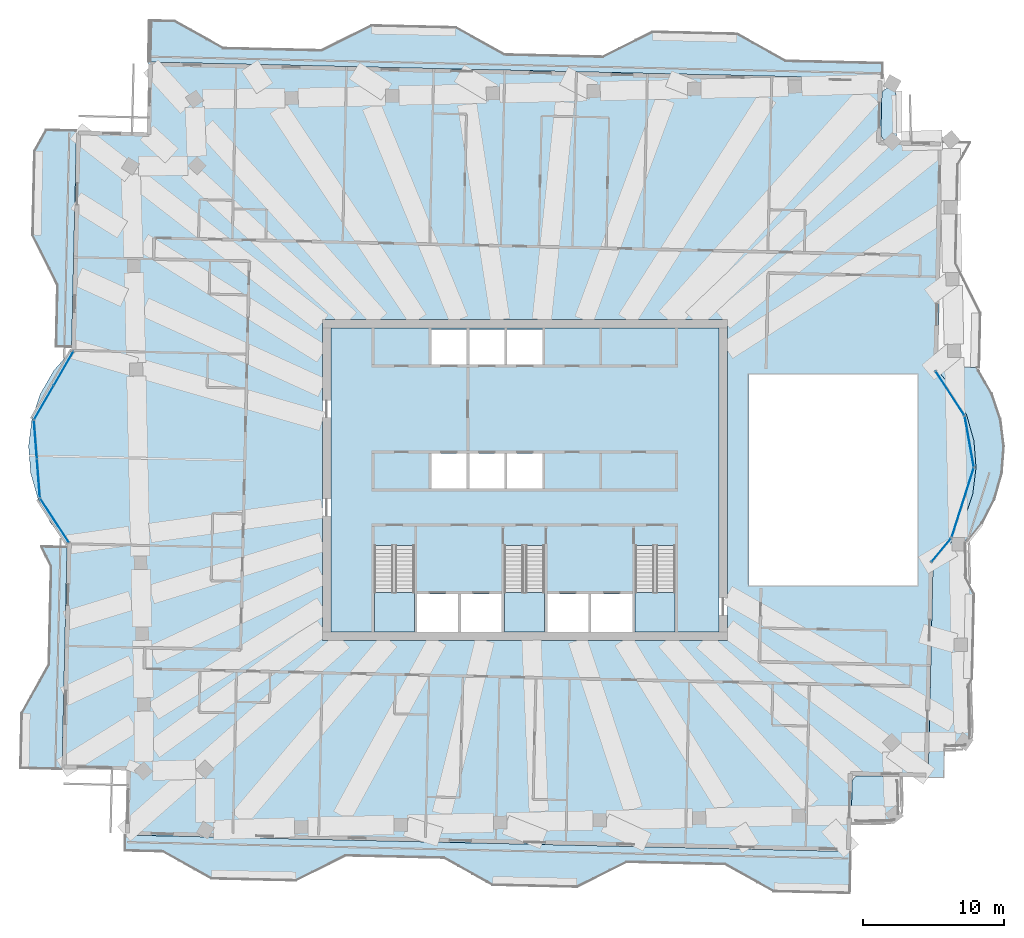
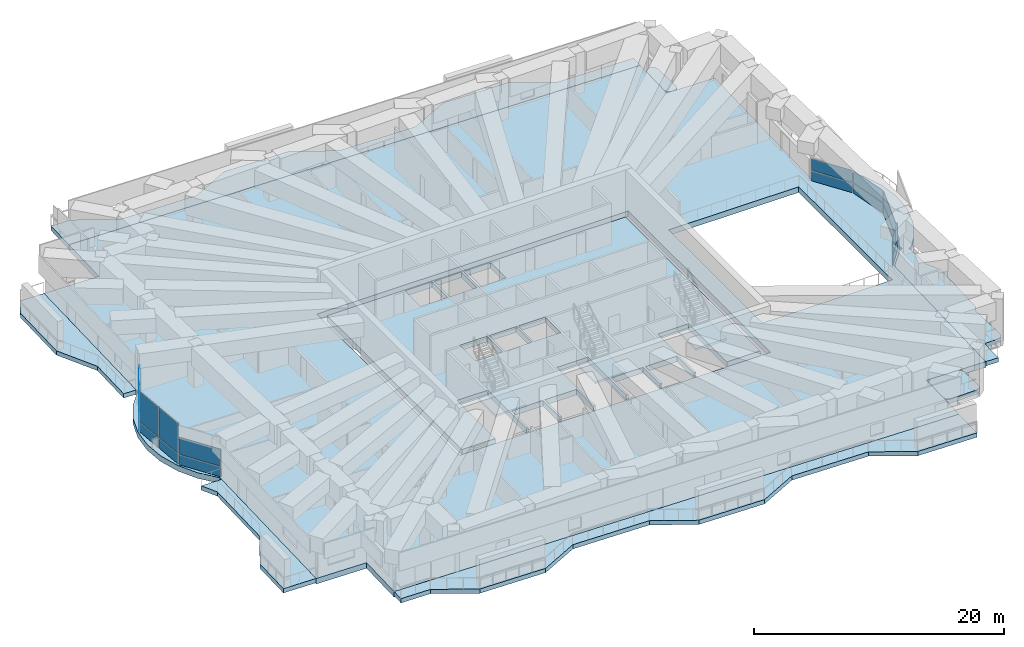
# One storey, part 7 of 20: 18 plates, 12 slabs, 10 elements without a shape of their own.
"""IFC4 building model written with IfcOpenShell, lengths in metres."""

from ifc_helpers import new_model, si_unit, direction, frame, origin, origin_2d, place, context, subcontext, project, spatial, polyline, rectangle, outline, extrude, material, layer, layer_set, type_object, element, aggregate, save


model = new_model("IFC4")

# Units and contexts
model_context = context("Model", 3, precision=1e-05, world=origin(), true_north=direction((0.0, 1.0)))
body_context = subcontext(model_context, "Body", "Model", "MODEL_VIEW")
ifc_project = project(units=[si_unit("LENGTHUNIT", "METRE"), si_unit("AREAUNIT", "SQUARE_METRE"), si_unit("VOLUMEUNIT", "CUBIC_METRE"), si_unit("PLANEANGLEUNIT", "RADIAN"), si_unit("MASSUNIT", "GRAM", prefix="KILO")], contexts=[model_context])

# Site, building, storey
site_placement = place(None, origin())
site = spatial("IfcSite", under=ifc_project, at=site_placement, CompositionType="ELEMENT")
building_placement = place(site_placement, origin())
building = spatial("IfcBuilding", under=site, at=building_placement, Name="Mangrove Gate Tower", CompositionType="ELEMENT")
storey_placement = place(building_placement, frame((0.0, 0.0, 301.5)))
storey = spatial("IfcBuildingStorey", under=building, at=storey_placement, Name="L77", CompositionType="ELEMENT", Elevation=301.5)

# Slabs
ifc_material_1 = material(Name="Porcelain tile")
ifc_layer_1 = layer(ifc_material_1, 0.02001953125, Name="Tile finish")
ifc_material_2 = material(Name="Cement sand screed")
ifc_layer_2 = layer(ifc_material_2, 0.0400390625, Name="Screed laid to falls")
ifc_material_3 = material(Name="Bituminous waterproofing membrane")
ifc_layer_3 = layer(ifc_material_3, 0.00390625, Name="Waterproofing")
ifc_material_4 = material(Name="Concrete C40/50", Category="concrete")
ifc_layer_4 = layer(ifc_material_4, 0.340087890625, Name="Balcony structural slab")
ifc_material_5 = material(Name="Limestone", Category="masonry")
ifc_layer_5 = layer(ifc_material_5, 0.01611328125, Name="Soffit lining")
ifc_layer_set_1 = layer_set([ifc_layer_1, ifc_layer_2, ifc_layer_3, ifc_layer_4, ifc_layer_5], Name="Balcony slab 420 C40/50")
slab_type_1 = type_object("IfcSlabType", Name="Balcony slab 420 C40/50", PredefinedType="FLOOR", material=ifc_layer_set_1)
slab_1_placement = place(storey_placement, frame((0.0, 0.0, -0.419921875)))
element("IfcSlab", 1, at=slab_1_placement, inside=storey, type_object=slab_type_1, Name="BALCONY L77 E0", PredefinedType="FLOOR", context=body_context, shape_type="SweptSolid", body=[
    extrude(outline(polyline([(29.830078125, -21.1689453125), (29.881103515625, -18.9189453125), (29.885009765625, -18.910888671875), (29.89208984375, -18.907958984375), (29.89697265625, -18.908935546875), (29.902099609375, -18.9130859375), (31.14111328125, -18.885009765625), (31.19091796875, -18.882080078125), (31.239013671875, -18.873046875), (31.285888671875, -18.860107421875), (31.33203125, -18.843017578125), (31.3759765625, -18.821044921875), (31.4169921875, -18.794921875), (31.4560546875, -18.764892578125), (31.490966796875, -18.73095703125), (31.52392578125, -18.693115234375), (31.552001953125, -18.654052734375), (31.575927734375, -18.611083984375), (31.595947265625, -18.56591796875), (31.612060546875, -18.51904296875), (31.623046875, -18.470947265625), (31.62890625, -18.423095703125), (31.6298828125, -18.3740234375), (31.5458984375, -14.68310546875), (31.5400390625, -14.68310546875), (31.534912109375, -14.680908203125), (31.531982421875, -14.677001953125), (31.530029296875, -14.672119140625), (31.531982421875, -14.6669921875), (31.841064453125, -14.113037109375), (31.97705078125, -8.114013671875), (31.35302734375, -6.864013671875), (31.35302734375, -6.85888671875), (31.35693359375, -6.85400390625), (31.362060546875, -6.85205078125), (31.368896484375, -6.85205078125), (31.31689453125, -4.576904296875), (31.31298828125, -4.527099609375), (31.304931640625, -4.47705078125), (31.291015625, -4.428955078125), (31.27294921875, -4.383056640625), (31.259033203125, -4.35498046875), (31.258056640625, -4.34912109375), (31.260986328125, -4.343017578125), (31.26708984375, -4.339111328125), (31.2958984375, -4.337890625), (31.345947265625, -4.330078125), (31.39404296875, -4.318115234375), (31.44091796875, -4.301025390625), (31.485107421875, -4.279052734375), (31.528076171875, -4.25390625), (31.568115234375, -4.22412109375), (31.60400390625, -4.18994140625), (31.636962890625, -4.153076171875), (32.48193359375, -3.10009765625), (32.510986328125, -3.05908203125), (32.535888671875, -3.01611328125), (33.366943359375, -1.405029296875), (33.387939453125, -1.35888671875), (33.404052734375, -1.31201171875), (33.89892578125, 0.430908203125), (33.909912109375, 0.47998046875), (33.916015625, 0.529052734375), (34.055908203125, 2.3369140625), (34.056884765625, 2.386962890625), (34.053955078125, 2.43603515625), (33.83203125, 4.235107421875), (33.822998046875, 4.284912109375), (33.81005859375, 4.3330078125), (33.236083984375, 6.052001953125), (33.218017578125, 6.09912109375), (33.196044921875, 6.14306640625), (32.2919921875, 7.715087890625), (32.26611328125, 7.756103515625), (32.23388671875, 7.794921875), (32.06005859375, 7.992919921875), (29.35302734375, 8.054931640625), (29.35205078125, 8.007080078125), (29.35400390625, 7.95703125), (29.360107421875, 7.906982421875), (29.37109375, 7.85888671875), (29.386962890625, 7.81201171875), (29.407958984375, 7.76708984375), (29.43310546875, 7.722900390625), (29.4619140625, 7.68310546875), (30.5439453125, 6.33203125), (31.4208984375, 4.632080078125), (31.943115234375, 2.7919921875), (32.091064453125, 0.885986328125), (31.85693359375, -1.012939453125), (31.251953125, -2.826904296875), (30.81298828125, -3.591064453125), (30.791015625, -3.635009765625), (30.77294921875, -3.680908203125), (30.759033203125, -3.72900390625), (30.7509765625, -3.778076171875), (30.7470703125, -3.827880859375), (30.748046875, -3.8779296875), (30.7548828125, -3.927001953125), (30.76611328125, -3.97607421875), (30.781982421875, -4.02294921875), (30.803955078125, -4.072998046875), (30.803955078125, -4.0810546875), (30.801025390625, -4.0859375), (30.7958984375, -4.087890625), (30.742919921875, -4.093994140625), (30.693115234375, -4.10400390625), (30.64501953125, -4.117919921875), (30.59912109375, -4.137939453125), (30.555908203125, -4.162109375), (30.514892578125, -4.18994140625), (30.47705078125, -4.221923828125), (30.44189453125, -4.258056640625), (30.410888671875, -4.297119140625), (30.384033203125, -4.339111328125), (30.304931640625, -4.47509765625), (30.291015625, -4.4951171875), (29.156005859375, -5.784912109375), (29.125, -5.823974609375), (29.097900390625, -5.866943359375), (29.075927734375, -5.910888671875), (29.056884765625, -5.9580078125), (29.0439453125, -6.0048828125), (29.035888671875, -6.053955078125), (29.031982421875, -6.10400390625), (29.031005859375, -6.152099609375), (29.034912109375, -6.156982421875), (29.035888671875, -6.162109375), (29.034912109375, -6.1669921875), (29.030029296875, -6.172119140625), (28.69091796875, -21.14306640625), (29.830078125, -21.1689453125)])), origin(), (0.0, 0.0, 1.0), 0.419921875),
])
slab_2_placement = place(storey_placement, frame((0.0, 0.0, -0.419921875)))
element("IfcSlab", 2, at=slab_2_placement, inside=storey, type_object=slab_type_1, Name="BALCONY L77 N0", PredefinedType="FLOOR", context=body_context, shape_type="SweptSolid", body=[
    extrude(outline(polyline([(25.443115234375, 29.68408203125), (18.544921875, 29.840087890625), (15.087890625, 31.76904296875), (9.089111328125, 31.905029296875), (5.548095703125, 30.135009765625), (-1.449951171875, 30.2939453125), (-4.906982421875, 32.222900390625), (-10.906005859375, 32.35888671875), (-14.447021484375, 30.590087890625), (-21.445068359375, 30.748046875), (-24.902099609375, 32.677001953125), (-26.701904296875, 32.717041015625), (-26.76904296875, 29.72802734375), (25.4169921875, 28.5439453125), (25.443115234375, 29.68408203125)])), origin(), (0.0, 0.0, 1.0), 0.419921875),
])
slab_3_placement = place(storey_placement, frame((0.0, 0.0, -0.419921875)))
element("IfcSlab", 3, at=slab_3_placement, inside=storey, type_object=slab_type_1, Name="BALCONY L77 W0", PredefinedType="FLOOR", context=body_context, shape_type="SweptSolid", body=[
    extrude(outline(polyline([(-34.077880859375, 24.89306640625), (-34.905029296875, 23.410888671875), (-35.041015625, 17.4130859375), (-33.27099609375, 13.8720703125), (-33.3701171875, 9.498046875), (-32.22998046875, 9.471923828125), (-32.131103515625, 13.845947265625), (-32.052001953125, 17.344970703125), (-31.916015625, 23.343017578125), (-31.882080078125, 24.843017578125), (-34.077880859375, 24.89306640625)])), origin(), (0.0, 0.0, 1.0), 0.419921875),
])
slab_4_placement = place(storey_placement, frame((0.0, 0.0, -0.419921875)))
element("IfcSlab", 4, at=slab_4_placement, inside=storey, type_object=slab_type_1, Name="BALCONY L77 W1", PredefinedType="FLOOR", context=body_context, shape_type="SweptSolid", body=[
    extrude(outline(polyline([(-34.419921875, -4.73193359375), (-33.72509765625, -6.123046875), (-33.883056640625, -13.12109375), (-35.81201171875, -16.5791015625), (-35.90087890625, -20.47802734375), (-32.912109375, -20.544921875), (-32.822998046875, -16.64599609375), (-32.743896484375, -13.14697265625), (-32.5849609375, -6.14892578125), (-32.553955078125, -4.77490234375), (-34.419921875, -4.73193359375)])), origin(), (0.0, 0.0, 1.0), 0.419921875),
])
slab_5_placement = place(storey_placement, frame((0.0, 0.0, -0.419921875)))
element("IfcSlab", 5, at=slab_5_placement, inside=storey, type_object=slab_type_1, Name="BALCONY L77 S0", PredefinedType="FLOOR", context=body_context, shape_type="SweptSolid", body=[
    extrude(outline(polyline([(-28.443115234375, -26.387939453125), (-25.743896484375, -26.448974609375), (-22.287109375, -28.3779296875), (-16.2880859375, -28.514892578125), (-12.7470703125, -26.743896484375), (-5.7490234375, -26.903076171875), (-2.2919921875, -28.83203125), (3.70703125, -28.968017578125), (7.248046875, -27.198974609375), (14.24609375, -27.35693359375), (17.702880859375, -29.285888671875), (23.10205078125, -29.407958984375), (23.169921875, -26.4189453125), (-28.4169921875, -25.2490234375), (-28.443115234375, -26.387939453125)])), origin(), (0.0, 0.0, 1.0), 0.419921875),
])
ifc_material_6 = material(Name="Concrete C40/50", Category="concrete")
ifc_layer_6 = layer(ifc_material_6, 0.550048828125)
ifc_layer_set_2 = layer_set([ifc_layer_6], Name="Core floor slab 550 C40/50")
slab_type_2 = type_object("IfcSlabType", Name="Core floor slab 550 C40/50", PredefinedType="FLOOR", material=ifc_layer_set_2)
slab_6_placement = place(storey_placement, frame((0.0, 0.0, -0.550048828125)))
element("IfcSlab", 6, at=slab_6_placement, inside=storey, type_object=slab_type_2, Name="SLAB-L77-CORE-1", PredefinedType="FLOOR", context=body_context, shape_type="SweptSolid", body=[
    extrude(outline(polyline([(-13.800048828125, -10.800048828125), (-13.800048828125, 10.800048828125), (13.800048828125, 10.800048828125), (13.800048828125, -10.800048828125), (10.699951171875, -10.800048828125), (10.699951171875, -4.653076171875), (7.85009765625, -4.653076171875), (7.85009765625, -10.800048828125), (7.64990234375, -10.800048828125), (7.64990234375, -8.10009765625), (4.72509765625, -8.10009765625), (4.72509765625, -10.800048828125), (4.52490234375, -10.800048828125), (4.52490234375, -8.10009765625), (1.60009765625, -8.10009765625), (1.60009765625, -10.800048828125), (1.39990234375, -10.800048828125), (1.39990234375, -4.653076171875), (-1.449951171875, -4.653076171875), (-1.449951171875, -10.800048828125), (-1.64990234375, -10.800048828125), (-1.64990234375, -8.10009765625), (-4.550048828125, -8.10009765625), (-4.550048828125, -10.800048828125), (-4.75, -10.800048828125), (-4.75, -8.10009765625), (-7.64990234375, -8.10009765625), (-7.64990234375, -10.800048828125), (-7.85009765625, -10.800048828125), (-7.85009765625, -4.653076171875), (-10.699951171875, -4.653076171875), (-10.699951171875, -10.800048828125), (-13.800048828125, -10.800048828125)]), holes=[polyline([(-4.14990234375, 1.89990234375), (-6.64990234375, 1.89990234375), (-6.64990234375, -0.60009765625), (-4.14990234375, -0.60009765625), (-4.14990234375, 1.89990234375)]), polyline([(-1.449951171875, -0.60009765625), (-1.449951171875, 1.89990234375), (-3.949951171875, 1.89990234375), (-3.949951171875, -0.60009765625), (-1.449951171875, -0.60009765625)]), polyline([(-4.14990234375, 8.199951171875), (-4.14990234375, 10.699951171875), (-6.64990234375, 10.699951171875), (-6.64990234375, 8.199951171875), (-4.14990234375, 8.199951171875)]), polyline([(-1.449951171875, 10.699951171875), (-3.949951171875, 10.699951171875), (-3.949951171875, 8.199951171875), (-1.449951171875, 8.199951171875), (-1.449951171875, 10.699951171875)]), polyline([(1.25, -0.60009765625), (1.25, 1.89990234375), (-1.25, 1.89990234375), (-1.25, -0.60009765625), (1.25, -0.60009765625)]), polyline([(1.25, 8.199951171875), (1.25, 10.699951171875), (-1.25, 10.699951171875), (-1.25, 8.199951171875), (1.25, 8.199951171875)])]), origin(), (0.0, 0.0, 1.0), 0.550048828125),
])

# Stair, slab
ifc_material_7 = material(Name="Concrete C40/50", Category="concrete")
stair_type = type_object("IfcStairType", Name="Core stair 1350", PredefinedType="HALF_TURN_STAIR", material=ifc_material_7)
stair_1_placement = place(storey_placement, origin())
stair_1 = element("IfcStair", 7, at=stair_1_placement, inside=storey, type_object=stair_type, Name="L77 Stair 1", PredefinedType="HALF_TURN_STAIR")
ifc_material_8 = material(Name="Concrete C40/50", Category="concrete")
ifc_layer_7 = layer(ifc_material_8, 0.199951171875)
ifc_layer_set_3 = layer_set([ifc_layer_7], Name="Core stair landing 200")
slab_type_3 = type_object("IfcSlabType", Name="Core stair landing 200", PredefinedType="LANDING", material=ifc_layer_set_3)
slab_7_placement = place(storey_placement, frame((0.0, 0.0, 2.10009765625)))
slab_7 = element("IfcSlab", 8, at=slab_7_placement, type_object=slab_type_3, Name="ST1 landing 1", PredefinedType="LANDING", context=body_context, shape_type="SweptSolid", body=[
    extrude(outline(polyline([(-10.699951171875, -8.010009765625), (-10.699951171875, -10.800048828125), (-7.85009765625, -10.800048828125), (-7.85009765625, -8.010009765625), (-10.699951171875, -8.010009765625)])), origin(), (0.0, 0.0, 1.0), 0.199951171875),
])
aggregate(stair_1, [slab_7])

stair_2_placement = place(storey_placement, origin())
stair_2 = element("IfcStair", 9, at=stair_2_placement, inside=storey, type_object=stair_type, Name="L77 Stair 2", PredefinedType="HALF_TURN_STAIR")
slab_8_placement = place(storey_placement, frame((0.0, 0.0, 2.10009765625)))
slab_8 = element("IfcSlab", 10, at=slab_8_placement, type_object=slab_type_3, Name="ST2 landing 1", PredefinedType="LANDING", context=body_context, shape_type="SweptSolid", body=[
    extrude(outline(polyline([(-1.449951171875, -8.010009765625), (-1.449951171875, -10.800048828125), (1.39990234375, -10.800048828125), (1.39990234375, -8.010009765625), (-1.449951171875, -8.010009765625)])), origin(), (0.0, 0.0, 1.0), 0.199951171875),
])
aggregate(stair_2, [slab_8])

stair_3_placement = place(storey_placement, origin())
stair_3 = element("IfcStair", 11, at=stair_3_placement, inside=storey, type_object=stair_type, Name="L77 Stair 3", PredefinedType="HALF_TURN_STAIR")
slab_9_placement = place(storey_placement, frame((0.0, 0.0, 2.10009765625)))
slab_9 = element("IfcSlab", 12, at=slab_9_placement, type_object=slab_type_3, Name="ST3 landing 1", PredefinedType="LANDING", context=body_context, shape_type="SweptSolid", body=[
    extrude(outline(polyline([(7.85009765625, -8.010009765625), (7.85009765625, -10.800048828125), (10.699951171875, -10.800048828125), (10.699951171875, -8.010009765625), (7.85009765625, -8.010009765625)])), origin(), (0.0, 0.0, 1.0), 0.199951171875),
])
aggregate(stair_3, [slab_9])

# Slab
ifc_material_9 = material(Name="Concrete C40/50", Category="concrete")
ifc_layer_8 = layer(ifc_material_9, 0.550048828125)
ifc_layer_set_4 = layer_set([ifc_layer_8], Name="Floor slab 550 C40/50")
slab_type_4 = type_object("IfcSlabType", Name="Floor slab 550 C40/50", PredefinedType="FLOOR", material=ifc_layer_set_4)
slab_10_placement = place(storey_placement, frame((0.0, 0.0, -0.550048828125)))
element("IfcSlab", 13, at=slab_10_placement, inside=storey, type_object=slab_type_4, Name="Floor slab L77", PredefinedType="FLOOR", context=body_context, shape_type="SweptSolid", body=[
    extrude(outline(polyline([(-28.417236328125, -25.24853515625), (23.169677734375, -26.419189453125), (23.2919921875, -21.0205078125), (28.690673828125, -21.14306640625), (29.0361328125, -5.92236328125), (30.299072265625, -4.48583984375), (31.252197265625, -2.827392578125), (31.857666015625, -1.012939453125), (32.09130859375, 0.885498046875), (31.944091796875, 2.79248046875), (31.42138671875, 4.632568359375), (30.544677734375, 6.33251953125), (29.34814453125, 7.82470703125), (29.716064453125, 24.045166015625), (25.3173828125, 24.14501953125), (25.4169921875, 28.5439453125), (-26.76953125, 29.728271484375), (-26.8828125, 24.7294921875), (-31.881591796875, 24.843017578125), (-32.236083984375, 9.222412109375), (-33.4990234375, 7.785888671875), (-34.4521484375, 6.12744140625), (-35.0576171875, 4.31298828125), (-35.291259765625, 2.41455078125), (-35.14404296875, 0.507568359375), (-34.62158203125, -1.33251953125), (-33.74462890625, -3.032470703125), (-32.548095703125, -4.524658203125), (-32.91162109375, -20.54541015625), (-28.312744140625, -20.649658203125), (-28.417236328125, -25.24853515625)]), holes=[polyline([(15.89990234375, 7.5), (27.922119140625, 7.5), (27.922119140625, -7.5), (15.89990234375, -7.5), (15.89990234375, 7.5)]), polyline([(-14.39990234375, -11.39990234375), (-14.39990234375, 11.39990234375), (14.39990234375, 11.39990234375), (14.39990234375, -11.39990234375), (-14.39990234375, -11.39990234375)])]), origin(), (0.0, 0.0, 1.0), 0.550048828125),
])

# Curtain wall, plates
ifc_material_10 = material(Name="Aluminium and glass curtain wall", Category="aluminium")
curtain_wall_type = type_object("IfcCurtainWallType", Name="Sky-lounge glazing wall", PredefinedType="NOTDEFINED", material=ifc_material_10)
curtain_wall_1_placement = place(storey_placement, origin())
curtain_wall_1 = element("IfcCurtainWall", 14, at=curtain_wall_1_placement, inside=storey, type_object=curtain_wall_type, Name="Sky-lounge glazing E1p1f1", PredefinedType="NOTDEFINED")
ifc_material_11 = material(Name="Laminated low-e glass", Category="glass")
ifc_layer_9 = layer(ifc_material_11, 0.030029296875)
ifc_layer_set_5 = layer_set([ifc_layer_9], Name="Sky-lounge glazing panel 30")
plate_type = type_object("IfcPlateType", Name="Sky-lounge glazing panel 30", PredefinedType="CURTAIN_PANEL", material=ifc_layer_set_5)
plate_1_placement = place(storey_placement, frame((29.60107421875, -5.00244140625, 0.0), z_axis=(0.0, 0.0, 1.0), x_axis=(0.638116272585, 0.769940012379, 0.0)))
plate_1 = element("IfcPlate", 15, at=plate_1_placement, type_object=plate_type, Name="CWK panel 1.1", PredefinedType="CURTAIN_PANEL", context=body_context, shape_type="SweptSolid", body=[
    extrude(rectangle(XDim=2.117919921875, YDim=0.030029296875, at=origin_2d()), origin(), (0.0, 0.0, 1.0), 0.969970703125),
])
plate_2_placement = place(storey_placement, frame((29.60107421875, -5.00244140625, 1.02978515625), z_axis=(0.0, 0.0, 1.0), x_axis=(0.638116272585, 0.769940012379, 0.0)))
plate_2 = element("IfcPlate", 16, at=plate_2_placement, type_object=plate_type, Name="CWK panel 1.2", PredefinedType="CURTAIN_PANEL", context=body_context, shape_type="SweptSolid", body=[
    extrude(rectangle(XDim=2.117919921875, YDim=0.030029296875, at=origin_2d()), origin(), (0.0, 0.0, 1.0), 1.760009765625),
])
aggregate(curtain_wall_1, [plate_1, plate_2])

curtain_wall_2_placement = place(storey_placement, origin())
curtain_wall_2 = element("IfcCurtainWall", 17, at=curtain_wall_2_placement, inside=storey, type_object=curtain_wall_type, Name="Sky-lounge glazing E1p2f1", PredefinedType="NOTDEFINED")
plate_3_placement = place(storey_placement, frame((31.147216796875, -1.6005859375, 0.0), z_axis=(0.0, 0.0, 1.0), x_axis=(0.303696895532, 0.952768699971, 0.0)))
plate_3 = element("IfcPlate", 18, at=plate_3_placement, type_object=plate_type, Name="CWK panel 1.1", PredefinedType="CURTAIN_PANEL", context=body_context, shape_type="SweptSolid", body=[
    extrude(rectangle(XDim=5.10546875, YDim=0.030029296875, at=origin_2d()), origin(), (0.0, 0.0, 1.0), 0.969970703125),
])
plate_4_placement = place(storey_placement, frame((31.147216796875, -1.6005859375, 1.0302734375), z_axis=(0.0, 0.0, 1.0), x_axis=(0.303696895532, 0.952768699971, 0.0)))
plate_4 = element("IfcPlate", 19, at=plate_4_placement, type_object=plate_type, Name="CWK panel 1.2", PredefinedType="CURTAIN_PANEL", context=body_context, shape_type="SweptSolid", body=[
    extrude(rectangle(XDim=5.10546875, YDim=0.030029296875, at=origin_2d()), origin(), (0.0, 0.0, 1.0), 1.159912109375),
])
aggregate(curtain_wall_2, [plate_3, plate_4])

curtain_wall_3_placement = place(storey_placement, origin())
curtain_wall_3 = element("IfcCurtainWall", 20, at=curtain_wall_3_placement, inside=storey, type_object=curtain_wall_type, Name="Sky-lounge glazing E1p2f2", PredefinedType="NOTDEFINED")
plate_5_placement = place(storey_placement, frame((31.611083984375, 2.73291015625, 0.0), z_axis=(0.0, 0.0, 1.0), x_axis=(-0.175967679865, 0.984395944548, 0.0)))
plate_5 = element("IfcPlate", 21, at=plate_5_placement, type_object=plate_type, Name="CWK panel 1.1", PredefinedType="CURTAIN_PANEL", context=body_context, shape_type="SweptSolid", body=[
    extrude(rectangle(XDim=3.626708984375, YDim=0.030029296875, at=origin_2d()), origin(), (0.0, 0.0, 1.0), 0.969970703125),
])
plate_6_placement = place(storey_placement, frame((31.611083984375, 2.73291015625, 1.0302734375), z_axis=(0.0, 0.0, 1.0), x_axis=(-0.175967679865, 0.984395944548, 0.0)))
plate_6 = element("IfcPlate", 22, at=plate_6_placement, type_object=plate_type, Name="CWK panel 1.2", PredefinedType="CURTAIN_PANEL", context=body_context, shape_type="SweptSolid", body=[
    extrude(rectangle(XDim=3.626708984375, YDim=0.030029296875, at=origin_2d()), origin(), (0.0, 0.0, 1.0), 1.159912109375),
])
aggregate(curtain_wall_3, [plate_5, plate_6])

curtain_wall_4_placement = place(storey_placement, origin())
curtain_wall_4 = element("IfcCurtainWall", 23, at=curtain_wall_4_placement, inside=storey, type_object=curtain_wall_type, Name="Sky-lounge glazing E1p2f3", PredefinedType="NOTDEFINED")
plate_7_placement = place(storey_placement, frame((30.239013671875, 6.17529296875, 0.0), z_axis=(0.0, 0.0, 1.0), x_axis=(-0.546235085162, 0.837631919006, 0.0)))
plate_7 = element("IfcPlate", 24, at=plate_7_placement, type_object=plate_type, Name="CWK panel 1.1", PredefinedType="CURTAIN_PANEL", context=body_context, shape_type="SweptSolid", body=[
    extrude(rectangle(XDim=3.696044921875, YDim=0.030029296875, at=origin_2d()), origin(), (0.0, 0.0, 1.0), 0.969970703125),
])
plate_8_placement = place(storey_placement, frame((30.239013671875, 6.17529296875, 1.0302734375), z_axis=(0.0, 0.0, 1.0), x_axis=(-0.546235085162, 0.837631919006, 0.0)))
plate_8 = element("IfcPlate", 25, at=plate_8_placement, type_object=plate_type, Name="CWK panel 1.2", PredefinedType="CURTAIN_PANEL", context=body_context, shape_type="SweptSolid", body=[
    extrude(rectangle(XDim=3.696044921875, YDim=0.030029296875, at=origin_2d()), origin(), (0.0, 0.0, 1.0), 1.159912109375),
])
aggregate(curtain_wall_4, [plate_7, plate_8])

curtain_wall_5_placement = place(storey_placement, origin())
curtain_wall_5 = element("IfcCurtainWall", 26, at=curtain_wall_5_placement, inside=storey, type_object=curtain_wall_type, Name="Sky-lounge glazing W9f1", PredefinedType="NOTDEFINED")
plate_9_placement = place(storey_placement, frame((-32.80078125, 7.93017578125, 0.0), z_axis=(0.0, 0.0, 1.0), x_axis=(-0.500418160359, -0.865783844145, 0.0)))
plate_9 = element("IfcPlate", 27, at=plate_9_placement, type_object=plate_type, Name="CWK panel 1.1", PredefinedType="CURTAIN_PANEL", context=body_context, shape_type="SweptSolid", body=[
    extrude(rectangle(XDim=2.73095703125, YDim=0.030029296875, at=origin_2d()), origin(), (0.0, 0.0, 1.0), 0.969970703125),
])
plate_10_placement = place(storey_placement, frame((-32.80078125, 7.93017578125, 1.030029296875), z_axis=(0.0, 0.0, 1.0), x_axis=(-0.500418160359, -0.865783844145, 0.0)))
plate_10 = element("IfcPlate", 28, at=plate_10_placement, type_object=plate_type, Name="CWK panel 1.2", PredefinedType="CURTAIN_PANEL", context=body_context, shape_type="SweptSolid", body=[
    extrude(rectangle(XDim=2.73095703125, YDim=0.030029296875, at=origin_2d()), origin(), (0.0, 0.0, 1.0), 1.56005859375),
])
plate_11_placement = place(storey_placement, frame((-34.197265625, 5.513916015625, 0.0), z_axis=(0.0, 0.0, 1.0), x_axis=(-0.500418160359, -0.865783844145, 0.0)))
plate_11 = element("IfcPlate", 29, at=plate_11_placement, type_object=plate_type, Name="CWK panel 2.1", PredefinedType="CURTAIN_PANEL", context=body_context, shape_type="SweptSolid", body=[
    extrude(rectangle(XDim=2.73095703125, YDim=0.030029296875, at=origin_2d()), origin(), (0.0, 0.0, 1.0), 0.969970703125),
])
plate_12_placement = place(storey_placement, frame((-34.197265625, 5.513916015625, 1.030029296875), z_axis=(0.0, 0.0, 1.0), x_axis=(-0.500418160359, -0.865783844145, 0.0)))
plate_12 = element("IfcPlate", 30, at=plate_12_placement, type_object=plate_type, Name="CWK panel 2.2", PredefinedType="CURTAIN_PANEL", context=body_context, shape_type="SweptSolid", body=[
    extrude(rectangle(XDim=2.73095703125, YDim=0.030029296875, at=origin_2d()), origin(), (0.0, 0.0, 1.0), 1.56005859375),
])
aggregate(curtain_wall_5, [plate_9, plate_10, plate_11, plate_12])

curtain_wall_6_placement = place(storey_placement, origin())
curtain_wall_6 = element("IfcCurtainWall", 31, at=curtain_wall_6_placement, inside=storey, type_object=curtain_wall_type, Name="Sky-lounge glazing W9f2", PredefinedType="NOTDEFINED")
plate_13_placement = place(storey_placement, frame((-34.802001953125, 2.87548828125, 0.0), z_axis=(0.0, 0.0, 1.0), x_axis=(0.077023348212, -0.997029289354, 0.0)))
plate_13 = element("IfcPlate", 32, at=plate_13_placement, type_object=plate_type, Name="CWK panel 1.1", PredefinedType="CURTAIN_PANEL", context=body_context, shape_type="SweptSolid", body=[
    extrude(rectangle(XDim=2.69677734375, YDim=0.030029296875, at=origin_2d()), origin(), (0.0, 0.0, 1.0), 0.969970703125),
])
plate_14_placement = place(storey_placement, frame((-34.802001953125, 2.87548828125, 1.030029296875), z_axis=(0.0, 0.0, 1.0), x_axis=(0.077023348212, -0.997029289354, 0.0)))
plate_14 = element("IfcPlate", 33, at=plate_14_placement, type_object=plate_type, Name="CWK panel 1.2", PredefinedType="CURTAIN_PANEL", context=body_context, shape_type="SweptSolid", body=[
    extrude(rectangle(XDim=2.69677734375, YDim=0.030029296875, at=origin_2d()), origin(), (0.0, 0.0, 1.0), 2.9599609375),
])
plate_15_placement = place(storey_placement, frame((-34.58984375, 0.126953125, 0.0), z_axis=(0.0, 0.0, 1.0), x_axis=(0.077023348212, -0.997029289354, 0.0)))
plate_15 = element("IfcPlate", 34, at=plate_15_placement, type_object=plate_type, Name="CWK panel 2.1", PredefinedType="CURTAIN_PANEL", context=body_context, shape_type="SweptSolid", body=[
    extrude(rectangle(XDim=2.69677734375, YDim=0.030029296875, at=origin_2d()), origin(), (0.0, 0.0, 1.0), 0.969970703125),
])
plate_16_placement = place(storey_placement, frame((-34.58984375, 0.126953125, 1.030029296875), z_axis=(0.0, 0.0, 1.0), x_axis=(0.077023348212, -0.997029289354, 0.0)))
plate_16 = element("IfcPlate", 35, at=plate_16_placement, type_object=plate_type, Name="CWK panel 2.2", PredefinedType="CURTAIN_PANEL", context=body_context, shape_type="SweptSolid", body=[
    extrude(rectangle(XDim=2.69677734375, YDim=0.030029296875, at=origin_2d()), origin(), (0.0, 0.0, 1.0), 2.9599609375),
])
aggregate(curtain_wall_6, [plate_13, plate_14, plate_15, plate_16])

curtain_wall_7_placement = place(storey_placement, origin())
curtain_wall_7 = element("IfcCurtainWall", 36, at=curtain_wall_7_placement, inside=storey, type_object=curtain_wall_type, Name="Sky-lounge glazing W9f3", PredefinedType="NOTDEFINED")
plate_17_placement = place(storey_placement, frame((-33.43896484375, -2.875244140625, 0.0), z_axis=(0.0, 0.0, 1.0), x_axis=(0.546235085162, -0.837631919006, 0.0)))
plate_17 = element("IfcPlate", 37, at=plate_17_placement, type_object=plate_type, Name="CWK panel 1.1", PredefinedType="CURTAIN_PANEL", context=body_context, shape_type="SweptSolid", body=[
    extrude(rectangle(XDim=3.696044921875, YDim=0.030029296875, at=origin_2d()), origin(), (0.0, 0.0, 1.0), 0.969970703125),
])
plate_18_placement = place(storey_placement, frame((-33.43896484375, -2.875244140625, 1.0302734375), z_axis=(0.0, 0.0, 1.0), x_axis=(0.546235085162, -0.837631919006, 0.0)))
plate_18 = element("IfcPlate", 38, at=plate_18_placement, type_object=plate_type, Name="CWK panel 1.2", PredefinedType="CURTAIN_PANEL", context=body_context, shape_type="SweptSolid", body=[
    extrude(rectangle(XDim=3.696044921875, YDim=0.030029296875, at=origin_2d()), origin(), (0.0, 0.0, 1.0), 1.659912109375),
])
aggregate(curtain_wall_7, [plate_17, plate_18])

# Slabs
ifc_material_12 = material(Name="Granite", Category="masonry")
ifc_layer_10 = layer(ifc_material_12, 0.030029296875, Name="Granite paving")
ifc_layer_11 = layer(ifc_material_2, 0.0400390625, Name="Bedding screed")
ifc_layer_12 = layer(ifc_material_3, 0.0048828125, Name="Waterproofing")
ifc_material_13 = material(Name="Extruded polystyrene insulation")
ifc_layer_13 = layer(ifc_material_13, 0.0400390625, Name="Insulation")
ifc_layer_14 = layer(ifc_material_4, 0.304931640625, Name="Terrace structural slab")
ifc_layer_set_6 = layer_set([ifc_layer_10, ifc_layer_11, ifc_layer_12, ifc_layer_13, ifc_layer_14], Name="Terrace slab C40/50")
slab_type_5 = type_object("IfcSlabType", Name="Terrace slab C40/50", PredefinedType="FLOOR", material=ifc_layer_set_6)
slab_11_placement = place(storey_placement, frame((0.0, 0.0, -0.419921875)))
element("IfcSlab", 39, at=slab_11_placement, inside=storey, type_object=slab_type_5, Name="TERRACE L77 3", PredefinedType="FLOOR", context=body_context, shape_type="SweptSolid", body=[
    extrude(outline(polyline([(26.549072265625, -23.68994140625), (26.5009765625, -21.571044921875), (26.498046875, -21.52294921875), (26.489990234375, -21.47607421875), (26.47802734375, -21.429931640625), (26.4609375, -21.385986328125), (26.43994140625, -21.343017578125), (26.416015625, -21.302001953125), (26.386962890625, -21.263916015625), (26.35498046875, -21.22900390625), (26.320068359375, -21.197021484375), (26.281005859375, -21.16796875), (26.240966796875, -21.14306640625), (26.197998046875, -21.1220703125), (26.153076171875, -21.10595703125), (26.10693359375, -21.093994140625), (26.06005859375, -21.0859375), (26.012939453125, -21.08203125), (23.7919921875, -21.031982421875), (23.742919921875, -21.032958984375), (23.694091796875, -21.0390625), (23.64599609375, -21.050048828125), (23.60009765625, -21.06591796875), (23.554931640625, -21.0859375), (23.511962890625, -21.110107421875), (23.471923828125, -21.137939453125), (23.43505859375, -21.169921875), (23.40087890625, -21.2060546875), (23.37109375, -21.2451171875), (23.344970703125, -21.285888671875), (23.322998046875, -21.330078125), (23.305908203125, -21.3759765625), (23.29296875, -21.423095703125), (23.283935546875, -21.470947265625), (23.281005859375, -21.52001953125), (23.22998046875, -23.742919921875), (23.23193359375, -23.7939453125), (23.238037109375, -23.843994140625), (23.25, -23.89306640625), (23.26611328125, -23.94091796875), (23.287109375, -23.986083984375), (23.31298828125, -24.030029296875), (23.343017578125, -24.071044921875), (23.376953125, -24.10791015625), (23.4140625, -24.14208984375), (23.455078125, -24.172119140625), (23.498046875, -24.197021484375), (23.5439453125, -24.218994140625), (23.592041015625, -24.235107421875), (23.64111328125, -24.24609375), (23.69091796875, -24.2529296875), (23.741943359375, -24.25390625), (26.06103515625, -24.201904296875), (26.110107421875, -24.197998046875), (26.157958984375, -24.18994140625), (26.205078125, -24.177001953125), (26.2509765625, -24.158935546875), (26.294921875, -24.136962890625), (26.3369140625, -24.111083984375), (26.375, -24.0810546875), (26.410888671875, -24.047119140625), (26.443115234375, -24.010009765625), (26.470947265625, -23.969970703125), (26.49609375, -23.927001953125), (26.51611328125, -23.883056640625), (26.531005859375, -23.8359375), (26.5419921875, -23.7880859375), (26.548095703125, -23.739990234375), (26.549072265625, -23.68994140625)])), origin(), (0.0, 0.0, 1.0), 0.419921875),
])
slab_12_placement = place(storey_placement, frame((0.0, 0.0, -0.419921875)))
element("IfcSlab", 40, at=slab_12_placement, inside=storey, type_object=slab_type_5, Name="TERRACE L77 4", PredefinedType="FLOOR", context=body_context, shape_type="SweptSolid", body=[
    extrude(outline(polyline([(25.39111328125, 27.384033203125), (25.3291015625, 24.64501953125), (25.330078125, 24.595947265625), (25.3359375, 24.547119140625), (25.346923828125, 24.4990234375), (25.362060546875, 24.452880859375), (25.382080078125, 24.407958984375), (25.406982421875, 24.364990234375), (25.43505859375, 24.324951171875), (25.467041015625, 24.2880859375), (25.5029296875, 24.25390625), (25.541015625, 24.22412109375), (25.5830078125, 24.197998046875), (25.626953125, 24.176025390625), (25.673095703125, 24.158935546875), (25.719970703125, 24.14599609375), (25.76806640625, 24.136962890625), (25.81689453125, 24.134033203125), (25.94189453125, 24.131103515625), (25.991943359375, 24.132080078125), (26.0419921875, 24.138916015625), (26.091064453125, 24.14990234375), (26.138916015625, 24.1669921875), (26.18505859375, 24.18798828125), (26.22802734375, 24.214111328125), (26.26904296875, 24.242919921875), (26.305908203125, 24.277099609375), (26.340087890625, 24.31494140625), (26.3701171875, 24.35498046875), (26.39599609375, 24.39892578125), (26.4169921875, 24.445068359375), (26.43310546875, 24.491943359375), (26.445068359375, 24.5419921875), (26.450927734375, 24.592041015625), (26.452880859375, 24.64208984375), (26.39111328125, 27.384033203125), (26.386962890625, 27.43310546875), (26.37890625, 27.47998046875), (26.365966796875, 27.527099609375), (26.34912109375, 27.572021484375), (26.327880859375, 27.615966796875), (26.302001953125, 27.656982421875), (26.27294921875, 27.695068359375), (26.239990234375, 27.73095703125), (26.2041015625, 27.762939453125), (26.1650390625, 27.791015625), (26.123046875, 27.81591796875), (26.0791015625, 27.8359375), (26.033935546875, 27.85205078125), (25.987060546875, 27.864013671875), (25.93896484375, 27.87109375), (25.89111328125, 27.873046875), (25.842041015625, 27.87109375), (25.794921875, 27.864013671875), (25.748046875, 27.85205078125), (25.701904296875, 27.8359375), (25.657958984375, 27.81591796875), (25.615966796875, 27.791015625), (25.576904296875, 27.762939453125), (25.541015625, 27.73095703125), (25.508056640625, 27.695068359375), (25.47900390625, 27.656982421875), (25.452880859375, 27.615966796875), (25.431884765625, 27.572021484375), (25.4150390625, 27.527099609375), (25.402099609375, 27.47998046875), (25.39404296875, 27.43310546875), (25.39111328125, 27.384033203125)])), origin(), (0.0, 0.0, 1.0), 0.419921875),
])

save(model, "model.ifc")
